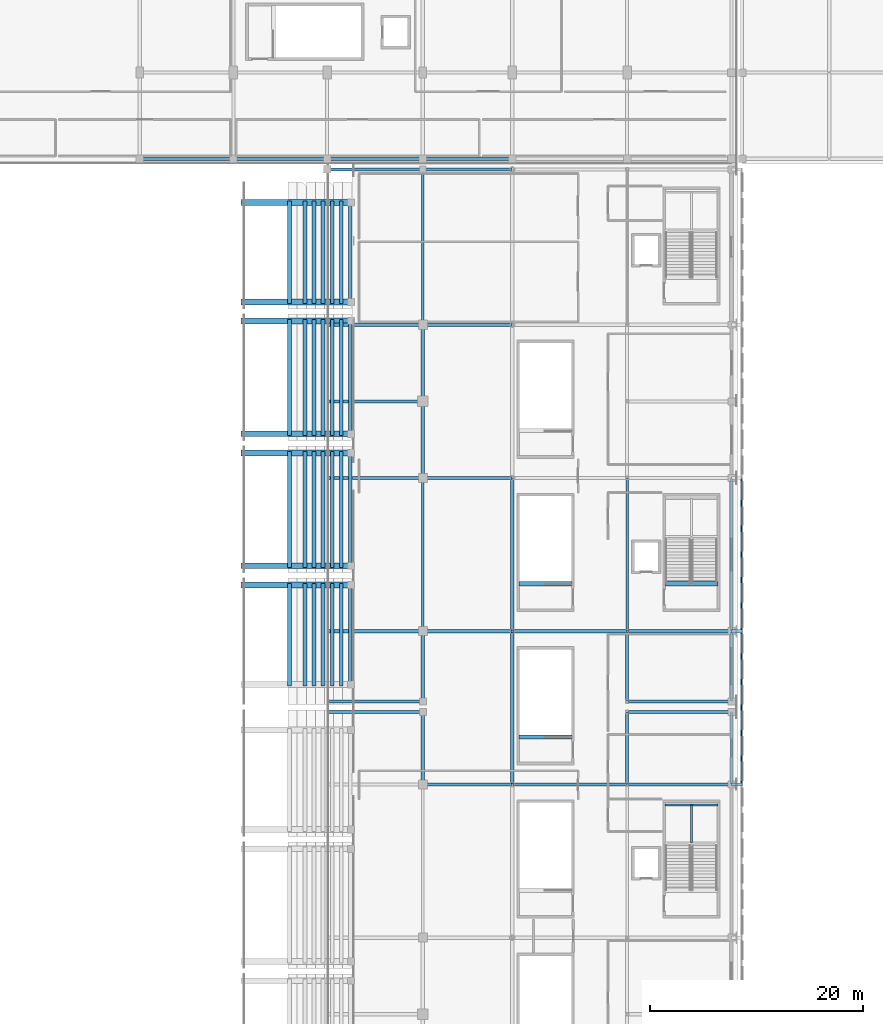
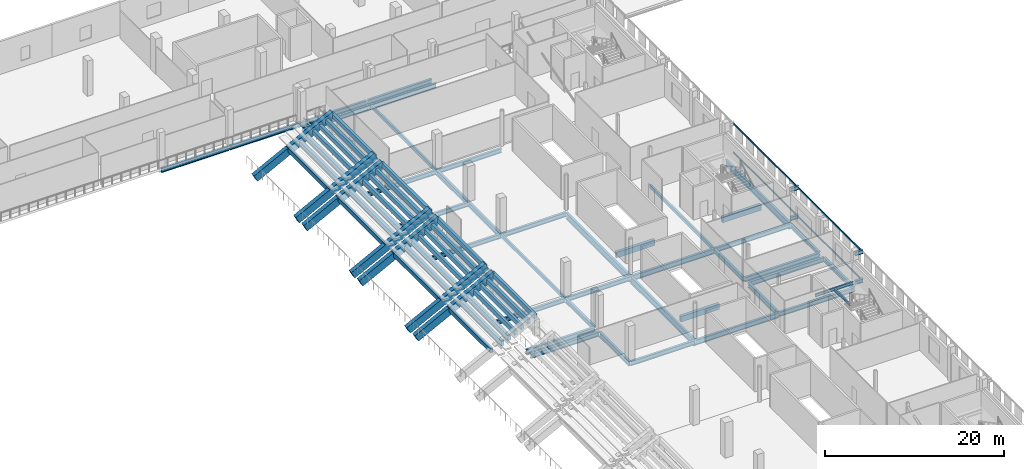
# One storey, part 19 of 74: 80 beams, 4 members.
"""IFC4 building model written with IfcOpenShell, lengths in metres."""

from ifc_helpers import new_model, si_unit, direction, frame, origin, origin_2d, place, context, subcontext, project, spatial, rectangle, hollow_rectangle, i_section, extrude, material, material_profile, profile_set, type_object, element, save


model = new_model("IFC4")

# Units and contexts
model_context = context("Model", 3, precision=1e-05, world=origin(), true_north=direction((0.0, 1.0)))
body_context = subcontext(model_context, "Body", "Model", "MODEL_VIEW")
ifc_project = project(units=[si_unit("LENGTHUNIT", "METRE"), si_unit("AREAUNIT", "SQUARE_METRE"), si_unit("VOLUMEUNIT", "CUBIC_METRE"), si_unit("PLANEANGLEUNIT", "RADIAN"), si_unit("MASSUNIT", "GRAM", prefix="KILO")], contexts=[model_context])

# Site, building, storey
site_placement = place(None, origin())
site = spatial("IfcSite", under=ifc_project, at=site_placement, CompositionType="ELEMENT")
building_placement = place(site_placement, origin())
building = spatial("IfcBuilding", under=site, at=building_placement, Name="Koshinbarg Plaza Stadium", CompositionType="ELEMENT")
storey_placement = place(building_placement, frame((0.0, 0.0, 15.0)))
storey = spatial("IfcBuildingStorey", under=building, at=storey_placement, Name="L03", CompositionType="ELEMENT", Elevation=15.0)

# Beams
ifc_material_1 = material(Name="Steel S355", Category="steel")
ifc_material_profile_1 = material_profile(ifc_material_1, i_section(OverallWidth=0.300048828125, OverallDepth=0.5, WebThickness=0.014404296875, FlangeThickness=0.028076171875, at=origin_2d()), Name="HEB 500")
ifc_profile_set_1 = profile_set([ifc_material_profile_1], Name="Steel S355")
beam_type_1 = type_object("IfcBeamType", Name="BM-CANOPY-CANT", PredefinedType="BEAM", material=ifc_profile_set_1)
for number, where, z_axis, x_axis, name in (
    (1, (218.39990234375, 68.699951171875, 0.25), (1.0, 0.0, 0.0), (0.0, 1.0, 0.0), "Outer screen cantilever outrigger E-L03-Y04"),
    (2, (218.39990234375, 68.699951171875, 4.179931640625), (1.0, 0.0, 0.0), (0.0, 1.0, 0.0), "Outer screen cantilever outrigger E-L03-Y04"),
    (3, (218.39990234375, 83.10009765625, 0.25), (1.0, 0.0, 0.0), (0.0, 1.0, 0.0), "Outer screen cantilever outrigger E-L03-Y05"),
    (4, (218.39990234375, 83.10009765625, 4.179931640625), (1.0, 0.0, 0.0), (0.0, 1.0, 0.0), "Outer screen cantilever outrigger E-L03-Y05"),
):
    element("IfcBeam", number, at=place(storey_placement, frame(where, z_axis=z_axis, x_axis=x_axis)), inside=storey, type_object=beam_type_1, Name=name, PredefinedType="BEAM", context=body_context, shape_type="SweptSolid", body=[
        extrude(i_section(OverallWidth=0.300048828125, OverallDepth=0.5, WebThickness=0.014404296875, FlangeThickness=0.028076171875, at=origin_2d()), origin(), (0.0, 0.0, 1.0), 1.030029296875),
    ])
ifc_material_2 = material(Name="Concrete C40/50", Category="concrete")
ifc_material_profile_2 = material_profile(ifc_material_2, rectangle(XDim=0.550048828125, YDim=1.0, at=origin_2d()), Name="RC 550x1000")
ifc_profile_set_2 = profile_set([ifc_material_profile_2], Name="Concrete C40/50")
beam_type_2 = type_object("IfcBeamType", Name="BM-RAKER-UT", PredefinedType="USERDEFINED", material=ifc_profile_set_2)
for number, where, z_axis, x_axis, name in (
    (5, (172.5400390625, 87.449951171875, -2.54296875), (0.888953125137, 0.0, 0.457998189198), (0.0, 1.0, 0.0), "Upper cantilevered bowl raker girder RAKER UT-E05-R"),
    (6, (172.5400390625, 89.25, -2.54296875), (0.888953125137, 0.0, 0.457998189198), (0.0, 1.0, 0.0), "Upper cantilevered bowl raker girder RAKER UT-E06-L"),
    (7, (172.5400390625, 99.85009765625, -2.54296875), (0.888953125137, 0.0, 0.457998189198), (0.0, 1.0, 0.0), "Upper cantilevered bowl raker girder RAKER UT-E06-R"),
    (8, (172.5400390625, 101.64990234375, -2.54296875), (0.888953125137, 0.0, 0.457998189198), (0.0, 1.0, 0.0), "Upper cantilevered bowl raker girder RAKER UT-E07-L"),
    (9, (172.5400390625, 112.25, -2.54296875), (0.888953125137, 0.0, 0.457998189198), (0.0, 1.0, 0.0), "Upper cantilevered bowl raker girder RAKER UT-E07-R"),
    (10, (172.5400390625, 114.050048828125, -2.54296875), (0.888953125137, 0.0, 0.457998189198), (0.0, 1.0, 0.0), "Upper cantilevered bowl raker girder RAKER UT-E08-L"),
    (11, (172.5400390625, 123.39990234375, -2.54296875), (0.888953125137, 0.0, 0.457998189198), (0.0, 1.0, 0.0), "Upper cantilevered bowl raker girder RAKER UT-E08-R"),
):
    element("IfcBeam", number, at=place(storey_placement, frame(where, z_axis=z_axis, x_axis=x_axis)), inside=storey, type_object=beam_type_2, Name=name, ObjectType="GIRDER", PredefinedType="USERDEFINED", context=body_context, shape_type="SweptSolid", body=[
        extrude(rectangle(XDim=0.550048828125, YDim=1.0, at=origin_2d()), origin(), (0.0, 0.0, 1.0), 11.384033203125),
    ])
ifc_material_profile_3 = material_profile(ifc_material_2, rectangle(XDim=0.35009765625, YDim=0.60009765625, at=origin_2d()), Name="RC 350x600")
ifc_profile_set_3 = profile_set([ifc_material_profile_3], Name="Concrete C40/50")
beam_type_3 = type_object("IfcBeamType", Name="BM-RCG-01", PredefinedType="SPANDREL", material=ifc_profile_set_3)
for number, where, z_axis, x_axis, name in (
    (12, (176.8701171875, 77.949951171875, -0.080078125), (0.0, 1.0, 0.0), (-1.0, 0.0, 0.0), "Upper tier seat bearer UT-E05-R06"),
    (13, (178.330078125, 77.949951171875, 0.360107421875), (0.0, 1.0, 0.0), (-1.0, 0.0, 0.0), "Upper tier seat bearer UT-E05-R07"),
    (14, (179.179931640625, 77.949951171875, 0.800048828125), (0.0, 1.0, 0.0), (-1.0, 0.0, 0.0), "Upper tier seat bearer UT-E05-R08"),
    (15, (180.030029296875, 77.949951171875, 1.239990234375), (0.0, 1.0, 0.0), (-1.0, 0.0, 0.0), "Upper tier seat bearer UT-E05-R09"),
    (16, (180.8798828125, 77.949951171875, 1.679931640625), (0.0, 1.0, 0.0), (-1.0, 0.0, 0.0), "Upper tier seat bearer UT-E05-R10"),
    (17, (181.72998046875, 77.949951171875, 2.1201171875), (0.0, 1.0, 0.0), (-1.0, 0.0, 0.0), "Upper tier seat bearer UT-E05-R11"),
    (18, (182.580078125, 77.949951171875, 2.56005859375), (0.0, 1.0, 0.0), (-1.0, 0.0, 0.0), "Upper tier seat bearer UT-E05-R12"),
):
    element("IfcBeam", number, at=place(storey_placement, frame(where, z_axis=z_axis, x_axis=x_axis)), inside=storey, type_object=beam_type_3, Name=name, PredefinedType="SPANDREL", context=body_context, shape_type="SweptSolid", body=[
        extrude(rectangle(XDim=0.35009765625, YDim=0.60009765625, at=origin_2d()), origin(), (0.0, 0.0, 1.0), 9.650146484375),
    ])
for number, where, z_axis, x_axis, name in (
    (19, (176.8701171875, 89.10009765625, -0.080078125), (0.0, 1.0, 0.0), (-1.0, 0.0, 0.0), "Upper tier seat bearer UT-E06-R06"),
    (20, (178.330078125, 89.10009765625, 0.360107421875), (0.0, 1.0, 0.0), (-1.0, 0.0, 0.0), "Upper tier seat bearer UT-E06-R07"),
    (21, (179.179931640625, 89.10009765625, 0.800048828125), (0.0, 1.0, 0.0), (-1.0, 0.0, 0.0), "Upper tier seat bearer UT-E06-R08"),
    (22, (180.030029296875, 89.10009765625, 1.239990234375), (0.0, 1.0, 0.0), (-1.0, 0.0, 0.0), "Upper tier seat bearer UT-E06-R09"),
    (23, (180.8798828125, 89.10009765625, 1.679931640625), (0.0, 1.0, 0.0), (-1.0, 0.0, 0.0), "Upper tier seat bearer UT-E06-R10"),
    (24, (181.72998046875, 89.10009765625, 2.1201171875), (0.0, 1.0, 0.0), (-1.0, 0.0, 0.0), "Upper tier seat bearer UT-E06-R11"),
    (25, (182.580078125, 89.10009765625, 2.56005859375), (0.0, 1.0, 0.0), (-1.0, 0.0, 0.0), "Upper tier seat bearer UT-E06-R12"),
    (26, (176.8701171875, 101.5, -0.080078125), (0.0, 1.0, 0.0), (-1.0, 0.0, 0.0), "Upper tier seat bearer UT-E07-R06"),
    (27, (178.330078125, 101.5, 0.360107421875), (0.0, 1.0, 0.0), (-1.0, 0.0, 0.0), "Upper tier seat bearer UT-E07-R07"),
    (28, (179.179931640625, 101.5, 0.800048828125), (0.0, 1.0, 0.0), (-1.0, 0.0, 0.0), "Upper tier seat bearer UT-E07-R08"),
    (29, (180.030029296875, 101.5, 1.239990234375), (0.0, 1.0, 0.0), (-1.0, 0.0, 0.0), "Upper tier seat bearer UT-E07-R09"),
    (30, (180.8798828125, 101.5, 1.679931640625), (0.0, 1.0, 0.0), (-1.0, 0.0, 0.0), "Upper tier seat bearer UT-E07-R10"),
    (31, (181.72998046875, 101.5, 2.1201171875), (0.0, 1.0, 0.0), (-1.0, 0.0, 0.0), "Upper tier seat bearer UT-E07-R11"),
    (32, (182.580078125, 101.5, 2.56005859375), (0.0, 1.0, 0.0), (-1.0, 0.0, 0.0), "Upper tier seat bearer UT-E07-R12"),
):
    element("IfcBeam", number, at=place(storey_placement, frame(where, z_axis=z_axis, x_axis=x_axis)), inside=storey, type_object=beam_type_3, Name=name, PredefinedType="SPANDREL", context=body_context, shape_type="SweptSolid", body=[
        extrude(rectangle(XDim=0.35009765625, YDim=0.60009765625, at=origin_2d()), origin(), (0.0, 0.0, 1.0), 10.89990234375),
    ])
for number, where, z_axis, x_axis, name in (
    (33, (176.8701171875, 113.89990234375, -0.080078125), (0.0, 1.0, 0.0), (-1.0, 0.0, 0.0), "Upper tier seat bearer UT-E08-R06"),
    (34, (178.330078125, 113.89990234375, 0.360107421875), (0.0, 1.0, 0.0), (-1.0, 0.0, 0.0), "Upper tier seat bearer UT-E08-R07"),
    (35, (179.179931640625, 113.89990234375, 0.800048828125), (0.0, 1.0, 0.0), (-1.0, 0.0, 0.0), "Upper tier seat bearer UT-E08-R08"),
    (36, (180.030029296875, 113.89990234375, 1.239990234375), (0.0, 1.0, 0.0), (-1.0, 0.0, 0.0), "Upper tier seat bearer UT-E08-R09"),
    (37, (180.8798828125, 113.89990234375, 1.679931640625), (0.0, 1.0, 0.0), (-1.0, 0.0, 0.0), "Upper tier seat bearer UT-E08-R10"),
    (38, (181.72998046875, 113.89990234375, 2.1201171875), (0.0, 1.0, 0.0), (-1.0, 0.0, 0.0), "Upper tier seat bearer UT-E08-R11"),
    (39, (182.580078125, 113.89990234375, 2.56005859375), (0.0, 1.0, 0.0), (-1.0, 0.0, 0.0), "Upper tier seat bearer UT-E08-R12"),
):
    element("IfcBeam", number, at=place(storey_placement, frame(where, z_axis=z_axis, x_axis=x_axis)), inside=storey, type_object=beam_type_3, Name=name, PredefinedType="SPANDREL", context=body_context, shape_type="SweptSolid", body=[
        extrude(rectangle(XDim=0.35009765625, YDim=0.60009765625, at=origin_2d()), origin(), (0.0, 0.0, 1.0), 9.650146484375),
    ])
ifc_material_profile_4 = material_profile(ifc_material_2, rectangle(XDim=0.39990234375, YDim=0.75, at=origin_2d()), Name="RC 400x750")
ifc_profile_set_4 = profile_set([ifc_material_profile_4], Name="Concrete C40/50")
beam_type_4 = type_object("IfcBeamType", Name="BM-RCG-03", PredefinedType="USERDEFINED", material=ifc_profile_set_4)
beam_1_placement = place(storey_placement, frame((212.14990234375, 87.56005859375, -0.375), z_axis=(1.0, 0.0, 0.0), x_axis=(0.0, 1.0, 0.0)))
element("IfcBeam", 40, at=beam_1_placement, inside=storey, type_object=beam_type_4, Name="L03 stair landing header beam C09", ObjectType="GIRDER", PredefinedType="USERDEFINED", context=body_context, shape_type="SweptSolid", body=[
    extrude(rectangle(XDim=0.39990234375, YDim=0.75, at=origin_2d()), origin(), (0.0, 0.0, 1.0), 4.97021484375),
])
for number, where, z_axis, x_axis, name in (
    (41, (198.449951171875, 73.159912109375, -0.375), (1.0, 0.0, 0.0), (0.0, 1.0, 0.0), "L03 stair landing header beam VX10"),
    (42, (198.449951171875, 87.56005859375, -0.375), (1.0, 0.0, 0.0), (0.0, 1.0, 0.0), "L03 stair landing header beam VX11"),
):
    element("IfcBeam", number, at=place(storey_placement, frame(where, z_axis=z_axis, x_axis=x_axis)), inside=storey, type_object=beam_type_4, Name=name, ObjectType="GIRDER", PredefinedType="USERDEFINED", context=body_context, shape_type="SweptSolid", body=[
        extrude(rectangle(XDim=0.39990234375, YDim=0.75, at=origin_2d()), origin(), (0.0, 0.0, 1.0), 4.969970703125),
    ])
ifc_material_profile_5 = material_profile(ifc_material_1, i_section(OverallWidth=0.179931640625, OverallDepth=0.39990234375, WebThickness=0.008544921875, FlangeThickness=0.013427734375, at=origin_2d()), Name="IPE 400")
ifc_profile_set_5 = profile_set([ifc_material_profile_5], Name="Steel S355")
beam_type_5 = type_object("IfcBeamType", Name="BM-SBM-01", PredefinedType="BEAM", material=ifc_profile_set_5)
beam_2_placement = place(storey_placement, frame((212.14990234375, 66.75, 1.8798828125), z_axis=(1.0, 0.0, 0.0), x_axis=(0.0, 1.0, 0.0)))
element("IfcBeam", 43, at=beam_2_placement, inside=storey, type_object=beam_type_5, Name="L03 Protected Exit Stair C08 landing trimmer beam 2", PredefinedType="BEAM", context=body_context, shape_type="SweptSolid", body=[
    extrude(i_section(OverallWidth=0.179931640625, OverallDepth=0.39990234375, WebThickness=0.008544921875, FlangeThickness=0.013427734375, at=origin_2d()), origin(), (0.0, 0.0, 1.0), 4.97021484375),
])
beam_3_placement = place(storey_placement, frame((214.635009765625, 63.2099609375, 1.8798828125), z_axis=(0.0, 1.0, 0.0), x_axis=(-1.0, 0.0, 0.0)))
element("IfcBeam", 44, at=beam_3_placement, inside=storey, type_object=beam_type_5, Name="L03 Protected Exit Stair C08 landing trimmer beam 3", PredefinedType="BEAM", context=body_context, shape_type="SweptSolid", body=[
    extrude(i_section(OverallWidth=0.179931640625, OverallDepth=0.39990234375, WebThickness=0.008544921875, FlangeThickness=0.013427734375, at=origin_2d()), origin(), (0.0, 0.0, 1.0), 3.5400390625),
])
ifc_material_profile_6 = material_profile(ifc_material_1, i_section(OverallWidth=0.300048828125, OverallDepth=0.5, WebThickness=0.014404296875, FlangeThickness=0.028076171875, at=origin_2d()), Name="HEB 500")
ifc_profile_set_6 = profile_set([ifc_material_profile_6], Name="Steel S355")
beam_type_6 = type_object("IfcBeamType", Name="BM-SGIR-01", PredefinedType="USERDEFINED", material=ifc_profile_set_6)
beam_4_placement = place(storey_placement, frame((218.39990234375, 76.56005859375, -0.570068359375), z_axis=(0.0, 1.0, 0.0), x_axis=(-1.0, 0.0, 0.0)))
element("IfcBeam", 45, at=beam_4_placement, inside=storey, type_object=beam_type_6, Name="L03 Y girder 21/L-M", ObjectType="GIRDER", PredefinedType="USERDEFINED", context=body_context, shape_type="SweptSolid", body=[
    extrude(i_section(OverallWidth=0.300048828125, OverallDepth=0.5, WebThickness=0.014404296875, FlangeThickness=0.028076171875, at=origin_2d()), origin(), (0.0, 0.0, 1.0), 6.47998046875),
])
ifc_material_profile_7 = material_profile(ifc_material_1, i_section(OverallWidth=0.300048828125, OverallDepth=0.60009765625, WebThickness=0.015380859375, FlangeThickness=0.030029296875, at=origin_2d()), Name="HEB 600")
ifc_profile_set_7 = profile_set([ifc_material_profile_7], Name="Steel S355")
beam_type_7 = type_object("IfcBeamType", Name="BM-SGIR-02", PredefinedType="USERDEFINED", material=ifc_profile_set_7)
beam_5_placement = place(storey_placement, frame((189.4599609375, 68.699951171875, -0.6201171875), z_axis=(1.0, 0.0, 0.0), x_axis=(0.0, 1.0, 0.0)))
element("IfcBeam", 46, at=beam_5_placement, inside=storey, type_object=beam_type_7, Name="L03 X girder J/18-19", ObjectType="GIRDER", PredefinedType="USERDEFINED", context=body_context, shape_type="SweptSolid", body=[
    extrude(i_section(OverallWidth=0.300048828125, OverallDepth=0.60009765625, WebThickness=0.015380859375, FlangeThickness=0.030029296875, at=origin_2d()), origin(), (0.0, 0.0, 1.0), 8.280029296875),
])
beam_6_placement = place(storey_placement, frame((208.659912109375, 68.699951171875, -0.6201171875), z_axis=(1.0, 0.0, 0.0), x_axis=(0.0, 1.0, 0.0)))
element("IfcBeam", 47, at=beam_6_placement, inside=storey, type_object=beam_type_7, Name="L03 X girder J/20-21", ObjectType="GIRDER", PredefinedType="USERDEFINED", context=body_context, shape_type="SweptSolid", body=[
    extrude(i_section(OverallWidth=0.300048828125, OverallDepth=0.60009765625, WebThickness=0.015380859375, FlangeThickness=0.030029296875, at=origin_2d()), origin(), (0.0, 0.0, 1.0), 9.68017578125),
])
beam_7_placement = place(storey_placement, frame((180.4599609375, 75.5, -0.6201171875), z_axis=(1.0, 0.0, 0.0), x_axis=(0.0, 1.0, 0.0)))
element("IfcBeam", 48, at=beam_7_placement, inside=storey, type_object=beam_type_7, Name="L03 X girder K/17-18", ObjectType="GIRDER", PredefinedType="USERDEFINED", context=body_context, shape_type="SweptSolid", body=[
    extrude(i_section(OverallWidth=0.300048828125, OverallDepth=0.60009765625, WebThickness=0.015380859375, FlangeThickness=0.030029296875, at=origin_2d()), origin(), (0.0, 0.0, 1.0), 8.880126953125),
])
beam_8_placement = place(storey_placement, frame((208.659912109375, 75.5, -0.6201171875), z_axis=(1.0, 0.0, 0.0), x_axis=(0.0, 1.0, 0.0)))
element("IfcBeam", 49, at=beam_8_placement, inside=storey, type_object=beam_type_7, Name="L03 X girder K/20-21", ObjectType="GIRDER", PredefinedType="USERDEFINED", context=body_context, shape_type="SweptSolid", body=[
    extrude(i_section(OverallWidth=0.300048828125, OverallDepth=0.60009765625, WebThickness=0.015380859375, FlangeThickness=0.030029296875, at=origin_2d()), origin(), (0.0, 0.0, 1.0), 9.68017578125),
])
beam_9_placement = place(storey_placement, frame((180.4599609375, 76.5, -0.6201171875), z_axis=(1.0, 0.0, 0.0), x_axis=(0.0, 1.0, 0.0)))
element("IfcBeam", 50, at=beam_9_placement, inside=storey, type_object=beam_type_7, Name="L03 X girder L/17-18", ObjectType="GIRDER", PredefinedType="USERDEFINED", context=body_context, shape_type="SweptSolid", body=[
    extrude(i_section(OverallWidth=0.300048828125, OverallDepth=0.60009765625, WebThickness=0.015380859375, FlangeThickness=0.030029296875, at=origin_2d()), origin(), (0.0, 0.0, 1.0), 8.880126953125),
])
beam_10_placement = place(storey_placement, frame((208.659912109375, 76.5, -0.6201171875), z_axis=(1.0, 0.0, 0.0), x_axis=(0.0, 1.0, 0.0)))
element("IfcBeam", 51, at=beam_10_placement, inside=storey, type_object=beam_type_7, Name="L03 X girder L/20-21", ObjectType="GIRDER", PredefinedType="USERDEFINED", context=body_context, shape_type="SweptSolid", body=[
    extrude(i_section(OverallWidth=0.300048828125, OverallDepth=0.60009765625, WebThickness=0.015380859375, FlangeThickness=0.030029296875, at=origin_2d()), origin(), (0.0, 0.0, 1.0), 9.68017578125),
])
beam_11_placement = place(storey_placement, frame((180.4599609375, 83.10009765625, -0.6201171875), z_axis=(1.0, 0.0, 0.0), x_axis=(0.0, 1.0, 0.0)))
element("IfcBeam", 52, at=beam_11_placement, inside=storey, type_object=beam_type_7, Name="L03 X girder M/17-18", ObjectType="GIRDER", PredefinedType="USERDEFINED", context=body_context, shape_type="SweptSolid", body=[
    extrude(i_section(OverallWidth=0.300048828125, OverallDepth=0.60009765625, WebThickness=0.015380859375, FlangeThickness=0.030029296875, at=origin_2d()), origin(), (0.0, 0.0, 1.0), 8.880126953125),
])
beam_12_placement = place(storey_placement, frame((189.4599609375, 83.10009765625, -0.6201171875), z_axis=(1.0, 0.0, 0.0), x_axis=(0.0, 1.0, 0.0)))
element("IfcBeam", 53, at=beam_12_placement, inside=storey, type_object=beam_type_7, Name="L03 X girder M/18-19", ObjectType="GIRDER", PredefinedType="USERDEFINED", context=body_context, shape_type="SweptSolid", body=[
    extrude(i_section(OverallWidth=0.300048828125, OverallDepth=0.60009765625, WebThickness=0.015380859375, FlangeThickness=0.030029296875, at=origin_2d()), origin(), (0.0, 0.0, 1.0), 8.280029296875),
])
beam_13_placement = place(storey_placement, frame((208.659912109375, 83.10009765625, -0.6201171875), z_axis=(1.0, 0.0, 0.0), x_axis=(0.0, 1.0, 0.0)))
element("IfcBeam", 54, at=beam_13_placement, inside=storey, type_object=beam_type_7, Name="L03 X girder M/20-21", ObjectType="GIRDER", PredefinedType="USERDEFINED", context=body_context, shape_type="SweptSolid", body=[
    extrude(i_section(OverallWidth=0.300048828125, OverallDepth=0.60009765625, WebThickness=0.015380859375, FlangeThickness=0.030029296875, at=origin_2d()), origin(), (0.0, 0.0, 1.0), 9.68017578125),
])
beam_14_placement = place(storey_placement, frame((180.4599609375, 97.5, -0.6201171875), z_axis=(1.0, 0.0, 0.0), x_axis=(0.0, 1.0, 0.0)))
element("IfcBeam", 55, at=beam_14_placement, inside=storey, type_object=beam_type_7, Name="L03 X girder N/17-18", ObjectType="GIRDER", PredefinedType="USERDEFINED", context=body_context, shape_type="SweptSolid", body=[
    extrude(i_section(OverallWidth=0.300048828125, OverallDepth=0.60009765625, WebThickness=0.015380859375, FlangeThickness=0.030029296875, at=origin_2d()), origin(), (0.0, 0.0, 1.0), 8.880126953125),
])
beam_15_placement = place(storey_placement, frame((189.4599609375, 97.5, -0.6201171875), z_axis=(1.0, 0.0, 0.0), x_axis=(0.0, 1.0, 0.0)))
element("IfcBeam", 56, at=beam_15_placement, inside=storey, type_object=beam_type_7, Name="L03 X girder N/18-19", ObjectType="GIRDER", PredefinedType="USERDEFINED", context=body_context, shape_type="SweptSolid", body=[
    extrude(i_section(OverallWidth=0.300048828125, OverallDepth=0.60009765625, WebThickness=0.015380859375, FlangeThickness=0.030029296875, at=origin_2d()), origin(), (0.0, 0.0, 1.0), 8.280029296875),
])
for number, where, z_axis, x_axis, name in (
    (57, (180.4599609375, 104.699951171875, -0.6201171875), (1.0, 0.0, 0.0), (0.0, 1.0, 0.0), "L03 X girder P/17-18"),
    (58, (180.4599609375, 111.89990234375, -0.6201171875), (1.0, 0.0, 0.0), (0.0, 1.0, 0.0), "L03 X girder Q/17-18"),
):
    element("IfcBeam", number, at=place(storey_placement, frame(where, z_axis=z_axis, x_axis=x_axis)), inside=storey, type_object=beam_type_7, Name=name, ObjectType="GIRDER", PredefinedType="USERDEFINED", context=body_context, shape_type="SweptSolid", body=[
        extrude(i_section(OverallWidth=0.300048828125, OverallDepth=0.60009765625, WebThickness=0.015380859375, FlangeThickness=0.030029296875, at=origin_2d()), origin(), (0.0, 0.0, 1.0), 8.880126953125),
    ])
beam_16_placement = place(storey_placement, frame((189.4599609375, 111.89990234375, -0.6201171875), z_axis=(1.0, 0.0, 0.0), x_axis=(0.0, 1.0, 0.0)))
element("IfcBeam", 59, at=beam_16_placement, inside=storey, type_object=beam_type_7, Name="L03 X girder Q/18-19", ObjectType="GIRDER", PredefinedType="USERDEFINED", context=body_context, shape_type="SweptSolid", body=[
    extrude(i_section(OverallWidth=0.300048828125, OverallDepth=0.60009765625, WebThickness=0.015380859375, FlangeThickness=0.030029296875, at=origin_2d()), origin(), (0.0, 0.0, 1.0), 8.280029296875),
])
beam_17_placement = place(storey_placement, frame((180.4599609375, 126.5, -0.6201171875), z_axis=(1.0, 0.0, 0.0), x_axis=(0.0, 1.0, 0.0)))
element("IfcBeam", 60, at=beam_17_placement, inside=storey, type_object=beam_type_7, Name="L03 X girder R/17-18", ObjectType="GIRDER", PredefinedType="USERDEFINED", context=body_context, shape_type="SweptSolid", body=[
    extrude(i_section(OverallWidth=0.300048828125, OverallDepth=0.60009765625, WebThickness=0.015380859375, FlangeThickness=0.030029296875, at=origin_2d()), origin(), (0.0, 0.0, 1.0), 8.880126953125),
])
beam_18_placement = place(storey_placement, frame((189.4599609375, 126.5, -0.6201171875), z_axis=(1.0, 0.0, 0.0), x_axis=(0.0, 1.0, 0.0)))
element("IfcBeam", 61, at=beam_18_placement, inside=storey, type_object=beam_type_7, Name="L03 X girder R/18-19", ObjectType="GIRDER", PredefinedType="USERDEFINED", context=body_context, shape_type="SweptSolid", body=[
    extrude(i_section(OverallWidth=0.300048828125, OverallDepth=0.60009765625, WebThickness=0.015380859375, FlangeThickness=0.030029296875, at=origin_2d()), origin(), (0.0, 0.0, 1.0), 8.280029296875),
])
beam_19_placement = place(storey_placement, frame((162.860107421875, 127.5, -0.6201171875), z_axis=(1.0, 0.0, 0.0), x_axis=(0.0, 1.0, 0.0)))
element("IfcBeam", 62, at=beam_19_placement, inside=storey, type_object=beam_type_7, Name="L03 X girder S/15-16", ObjectType="GIRDER", PredefinedType="USERDEFINED", context=body_context, shape_type="SweptSolid", body=[
    extrude(i_section(OverallWidth=0.300048828125, OverallDepth=0.60009765625, WebThickness=0.015380859375, FlangeThickness=0.030029296875, at=origin_2d()), origin(), (0.0, 0.0, 1.0), 8.679931640625),
])
beam_20_placement = place(storey_placement, frame((171.659912109375, 127.5, -0.6201171875), z_axis=(1.0, 0.0, 0.0), x_axis=(0.0, 1.0, 0.0)))
element("IfcBeam", 63, at=beam_20_placement, inside=storey, type_object=beam_type_7, Name="L03 X girder S/16-17", ObjectType="GIRDER", PredefinedType="USERDEFINED", context=body_context, shape_type="SweptSolid", body=[
    extrude(i_section(OverallWidth=0.300048828125, OverallDepth=0.60009765625, WebThickness=0.015380859375, FlangeThickness=0.030029296875, at=origin_2d()), origin(), (0.0, 0.0, 1.0), 8.68017578125),
])
beam_21_placement = place(storey_placement, frame((180.4599609375, 127.5, -0.6201171875), z_axis=(1.0, 0.0, 0.0), x_axis=(0.0, 1.0, 0.0)))
element("IfcBeam", 64, at=beam_21_placement, inside=storey, type_object=beam_type_7, Name="L03 X girder S/17-18", ObjectType="GIRDER", PredefinedType="USERDEFINED", context=body_context, shape_type="SweptSolid", body=[
    extrude(i_section(OverallWidth=0.300048828125, OverallDepth=0.60009765625, WebThickness=0.015380859375, FlangeThickness=0.030029296875, at=origin_2d()), origin(), (0.0, 0.0, 1.0), 8.880126953125),
])
beam_22_placement = place(storey_placement, frame((189.4599609375, 127.5, -0.6201171875), z_axis=(1.0, 0.0, 0.0), x_axis=(0.0, 1.0, 0.0)))
element("IfcBeam", 65, at=beam_22_placement, inside=storey, type_object=beam_type_7, Name="L03 X girder S/18-19", ObjectType="GIRDER", PredefinedType="USERDEFINED", context=body_context, shape_type="SweptSolid", body=[
    extrude(i_section(OverallWidth=0.300048828125, OverallDepth=0.60009765625, WebThickness=0.015380859375, FlangeThickness=0.030029296875, at=origin_2d()), origin(), (0.0, 0.0, 1.0), 8.280029296875),
])
for number, where, z_axis, x_axis, name in (
    (66, (189.39990234375, 76.56005859375, -0.6201171875), (0.0, 1.0, 0.0), (-1.0, 0.0, 0.0), "L03 Y girder 18/L-M"),
    (67, (208.60009765625, 76.56005859375, -0.6201171875), (0.0, 1.0, 0.0), (-1.0, 0.0, 0.0), "L03 Y girder 20/L-M"),
):
    element("IfcBeam", number, at=place(storey_placement, frame(where, z_axis=z_axis, x_axis=x_axis)), inside=storey, type_object=beam_type_7, Name=name, ObjectType="GIRDER", PredefinedType="USERDEFINED", context=body_context, shape_type="SweptSolid", body=[
        extrude(i_section(OverallWidth=0.300048828125, OverallDepth=0.60009765625, WebThickness=0.015380859375, FlangeThickness=0.030029296875, at=origin_2d()), origin(), (0.0, 0.0, 1.0), 6.47998046875),
    ])
beam_23_placement = place(storey_placement, frame((218.39990234375, 68.760009765625, -0.6201171875), z_axis=(0.0, 1.0, 0.0), x_axis=(-1.0, 0.0, 0.0)))
element("IfcBeam", 68, at=beam_23_placement, inside=storey, type_object=beam_type_7, Name="L03 Y girder 21/J-K", ObjectType="GIRDER", PredefinedType="USERDEFINED", context=body_context, shape_type="SweptSolid", body=[
    extrude(i_section(OverallWidth=0.300048828125, OverallDepth=0.60009765625, WebThickness=0.015380859375, FlangeThickness=0.030029296875, at=origin_2d()), origin(), (0.0, 0.0, 1.0), 6.679931640625),
])
ifc_material_profile_8 = material_profile(ifc_material_1, i_section(OverallWidth=0.300048828125, OverallDepth=0.699951171875, WebThickness=0.01708984375, FlangeThickness=0.031982421875, at=origin_2d()), Name="HEB 700")
ifc_profile_set_8 = profile_set([ifc_material_profile_8], Name="Steel S355")
beam_type_8 = type_object("IfcBeamType", Name="BM-SGIR-03", PredefinedType="USERDEFINED", material=ifc_profile_set_8)
for number, where, z_axis, x_axis, name in (
    (69, (197.860107421875, 68.699951171875, -0.669921875), (1.0, 0.0, 0.0), (0.0, 1.0, 0.0), "L03 X girder J/19-20"),
    (70, (197.860107421875, 83.10009765625, -0.669921875), (1.0, 0.0, 0.0), (0.0, 1.0, 0.0), "L03 X girder M/19-20"),
):
    element("IfcBeam", number, at=place(storey_placement, frame(where, z_axis=z_axis, x_axis=x_axis)), inside=storey, type_object=beam_type_8, Name=name, ObjectType="GIRDER", PredefinedType="USERDEFINED", context=body_context, shape_type="SweptSolid", body=[
        extrude(i_section(OverallWidth=0.300048828125, OverallDepth=0.699951171875, WebThickness=0.01708984375, FlangeThickness=0.031982421875, at=origin_2d()), origin(), (0.0, 0.0, 1.0), 10.679931640625),
    ])
beam_24_placement = place(storey_placement, frame((189.39990234375, 68.760009765625, -0.669921875), z_axis=(0.0, 1.0, 0.0), x_axis=(-1.0, 0.0, 0.0)))
element("IfcBeam", 71, at=beam_24_placement, inside=storey, type_object=beam_type_8, Name="L03 Y girder 18/J-K", ObjectType="GIRDER", PredefinedType="USERDEFINED", context=body_context, shape_type="SweptSolid", body=[
    extrude(i_section(OverallWidth=0.300048828125, OverallDepth=0.699951171875, WebThickness=0.01708984375, FlangeThickness=0.031982421875, at=origin_2d()), origin(), (0.0, 0.0, 1.0), 6.679931640625),
])
beam_25_placement = place(storey_placement, frame((189.39990234375, 97.56005859375, -0.669921875), z_axis=(0.0, 1.0, 0.0), x_axis=(-1.0, 0.0, 0.0)))
element("IfcBeam", 72, at=beam_25_placement, inside=storey, type_object=beam_type_8, Name="L03 Y girder 18/N-P", ObjectType="GIRDER", PredefinedType="USERDEFINED", context=body_context, shape_type="SweptSolid", body=[
    extrude(i_section(OverallWidth=0.300048828125, OverallDepth=0.699951171875, WebThickness=0.01708984375, FlangeThickness=0.031982421875, at=origin_2d()), origin(), (0.0, 0.0, 1.0), 7.079833984375),
])
beam_26_placement = place(storey_placement, frame((189.39990234375, 104.760009765625, -0.669921875), z_axis=(0.0, 1.0, 0.0), x_axis=(-1.0, 0.0, 0.0)))
element("IfcBeam", 73, at=beam_26_placement, inside=storey, type_object=beam_type_8, Name="L03 Y girder 18/P-Q", ObjectType="GIRDER", PredefinedType="USERDEFINED", context=body_context, shape_type="SweptSolid", body=[
    extrude(i_section(OverallWidth=0.300048828125, OverallDepth=0.699951171875, WebThickness=0.01708984375, FlangeThickness=0.031982421875, at=origin_2d()), origin(), (0.0, 0.0, 1.0), 7.080078125),
])
beam_27_placement = place(storey_placement, frame((208.60009765625, 68.760009765625, -0.669921875), z_axis=(0.0, 1.0, 0.0), x_axis=(-1.0, 0.0, 0.0)))
element("IfcBeam", 74, at=beam_27_placement, inside=storey, type_object=beam_type_8, Name="L03 Y girder 20/J-K", ObjectType="GIRDER", PredefinedType="USERDEFINED", context=body_context, shape_type="SweptSolid", body=[
    extrude(i_section(OverallWidth=0.300048828125, OverallDepth=0.699951171875, WebThickness=0.01708984375, FlangeThickness=0.031982421875, at=origin_2d()), origin(), (0.0, 0.0, 1.0), 6.679931640625),
])
ifc_material_profile_9 = material_profile(ifc_material_1, i_section(OverallWidth=0.300048828125, OverallDepth=0.89990234375, WebThickness=0.0185546875, FlangeThickness=0.034912109375, at=origin_2d()), Name="HEB 900")
ifc_profile_set_9 = profile_set([ifc_material_profile_9], Name="Steel S355")
beam_type_9 = type_object("IfcBeamType", Name="BM-SGIR-05", PredefinedType="USERDEFINED", material=ifc_profile_set_9)
for number, where, z_axis, x_axis, name in (
    (75, (197.800048828125, 68.760009765625, -0.77001953125), (0.0, 1.0, 0.0), (-1.0, 0.0, 0.0), "L03 Y girder 19/J-M"),
    (76, (197.800048828125, 83.159912109375, -0.77001953125), (0.0, 1.0, 0.0), (-1.0, 0.0, 0.0), "L03 Y girder 19/M-N"),
    (77, (218.39990234375, 83.159912109375, -0.77001953125), (0.0, 1.0, 0.0), (-1.0, 0.0, 0.0), "L03 Y girder 21/M-N"),
):
    element("IfcBeam", number, at=place(storey_placement, frame(where, z_axis=z_axis, x_axis=x_axis)), inside=storey, type_object=beam_type_9, Name=name, ObjectType="GIRDER", PredefinedType="USERDEFINED", context=body_context, shape_type="SweptSolid", body=[
        extrude(i_section(OverallWidth=0.300048828125, OverallDepth=0.89990234375, WebThickness=0.0185546875, FlangeThickness=0.034912109375, at=origin_2d()), origin(), (0.0, 0.0, 1.0), 14.280029296875),
    ])
ifc_material_profile_10 = material_profile(ifc_material_1, hollow_rectangle(XDim=0.25, YDim=0.449951171875, WallThickness=0.01611328125, at=origin_2d()), Name="RHS 450x250x16")
ifc_profile_set_10 = profile_set([ifc_material_profile_10], Name="Steel S355")
beam_type_10 = type_object("IfcBeamType", Name="BM-SGIR-06", PredefinedType="USERDEFINED", material=ifc_profile_set_10)
beam_28_placement = place(storey_placement, frame((189.39990234375, 83.159912109375, -0.544921875), z_axis=(0.0, 1.0, 0.0), x_axis=(-1.0, 0.0, 0.0)))
element("IfcBeam", 78, at=beam_28_placement, inside=storey, type_object=beam_type_10, Name="L03 Y girder 18/M-N", ObjectType="GIRDER", PredefinedType="USERDEFINED", context=body_context, shape_type="SweptSolid", body=[
    extrude(hollow_rectangle(XDim=0.25, YDim=0.449951171875, WallThickness=0.01611328125, at=origin_2d()), origin(), (0.0, 0.0, 1.0), 14.280029296875),
])
beam_29_placement = place(storey_placement, frame((189.39990234375, 111.9599609375, -0.544921875), z_axis=(0.0, 1.0, 0.0), x_axis=(-1.0, 0.0, 0.0)))
element("IfcBeam", 79, at=beam_29_placement, inside=storey, type_object=beam_type_10, Name="L03 Y girder 18/Q-R", ObjectType="GIRDER", PredefinedType="USERDEFINED", context=body_context, shape_type="SweptSolid", body=[
    extrude(hollow_rectangle(XDim=0.25, YDim=0.449951171875, WallThickness=0.01611328125, at=origin_2d()), origin(), (0.0, 0.0, 1.0), 14.47998046875),
])
beam_30_placement = place(storey_placement, frame((208.60009765625, 83.159912109375, -0.544921875), z_axis=(0.0, 1.0, 0.0), x_axis=(-1.0, 0.0, 0.0)))
element("IfcBeam", 80, at=beam_30_placement, inside=storey, type_object=beam_type_10, Name="L03 Y girder 20/M-N", ObjectType="GIRDER", PredefinedType="USERDEFINED", context=body_context, shape_type="SweptSolid", body=[
    extrude(hollow_rectangle(XDim=0.25, YDim=0.449951171875, WallThickness=0.01611328125, at=origin_2d()), origin(), (0.0, 0.0, 1.0), 14.280029296875),
])

# Members
ifc_material_profile_11 = material_profile(ifc_material_1, hollow_rectangle(XDim=0.10009765625, YDim=0.199951171875, WallThickness=0.008056640625, at=origin_2d()), Name="RHS 200x100x8")
ifc_profile_set_11 = profile_set([ifc_material_profile_11], Name="Steel S355")
member_type = type_object("IfcMemberType", Name="MB-PURL-03", PredefinedType="PURLIN", material=ifc_profile_set_11)
for number, where, z_axis, x_axis, name in (
    (81, (219.35009765625, 68.699951171875, 0.25), (0.0, 1.0, 0.0), (-1.0, 0.0, 0.0), "L03 outer screen subframe rail E-4-BOT"),
    (82, (219.35009765625, 68.699951171875, 4.179931640625), (0.0, 1.0, 0.0), (-1.0, 0.0, 0.0), "L03 outer screen subframe rail E-4-TOP"),
):
    element("IfcMember", number, at=place(storey_placement, frame(where, z_axis=z_axis, x_axis=x_axis)), inside=storey, type_object=member_type, Name=name, PredefinedType="PURLIN", context=body_context, shape_type="SweptSolid", body=[
        extrude(hollow_rectangle(XDim=0.10009765625, YDim=0.199951171875, WallThickness=0.008056640625, at=origin_2d()), origin(), (0.0, 0.0, 1.0), 14.400146484375),
    ])
for number, where, z_axis, x_axis, name in (
    (83, (219.35009765625, 83.10009765625, 0.25), (0.0, 1.0, 0.0), (-1.0, 0.0, 0.0), "L03 outer screen subframe rail E-5-BOT"),
    (84, (219.35009765625, 83.10009765625, 4.179931640625), (0.0, 1.0, 0.0), (-1.0, 0.0, 0.0), "L03 outer screen subframe rail E-5-TOP"),
):
    element("IfcMember", number, at=place(storey_placement, frame(where, z_axis=z_axis, x_axis=x_axis)), inside=storey, type_object=member_type, Name=name, PredefinedType="PURLIN", context=body_context, shape_type="SweptSolid", body=[
        extrude(hollow_rectangle(XDim=0.10009765625, YDim=0.199951171875, WallThickness=0.008056640625, at=origin_2d()), origin(), (0.0, 0.0, 1.0), 14.39990234375),
    ])

save(model, "model.ifc")
